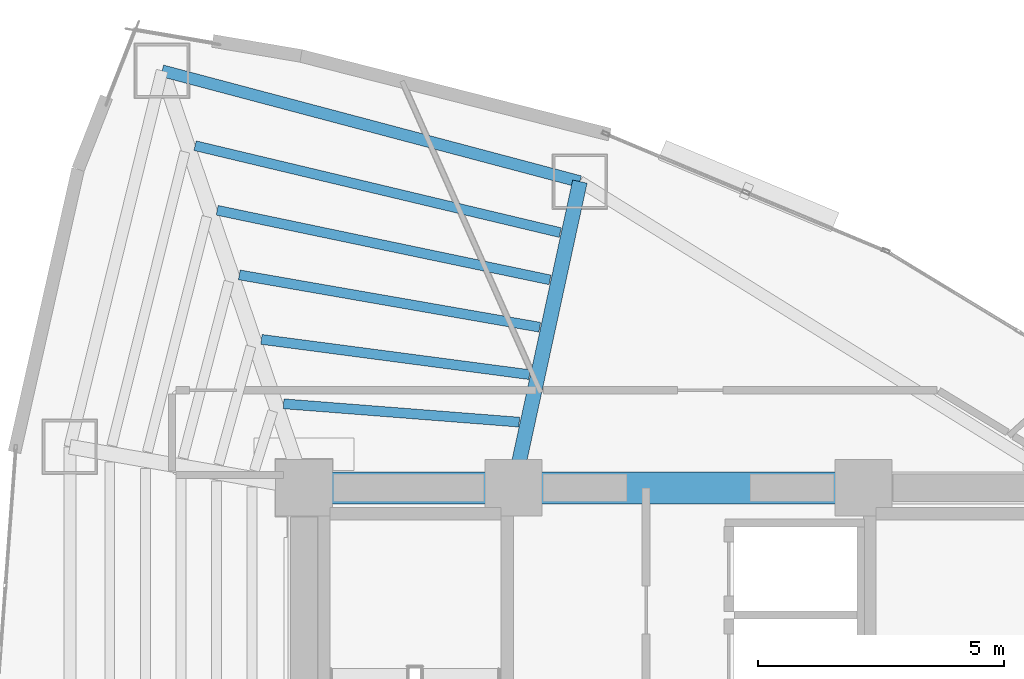
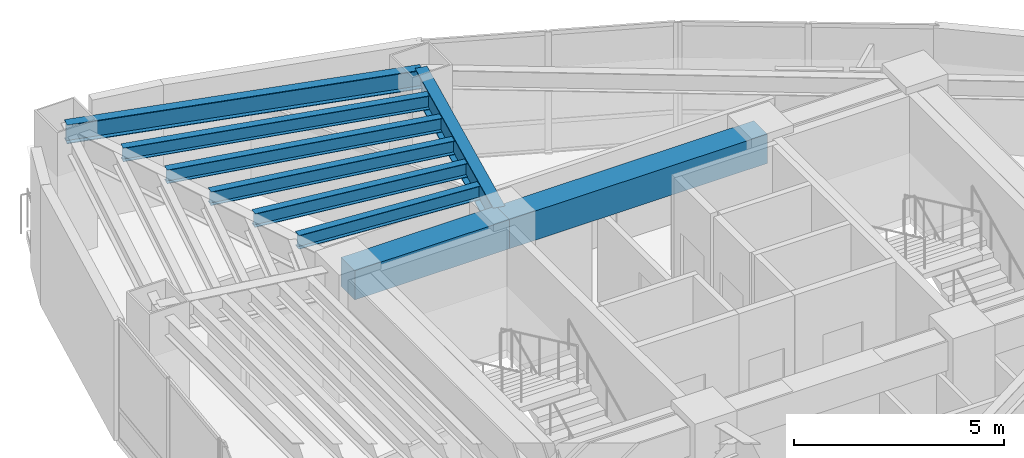
# One storey, part 8 of 15: 9 beams.
"""IFC4 building model written with IfcOpenShell, lengths in metres."""

from ifc_helpers import new_model, si_unit, direction, frame, origin, origin_2d, place, context, subcontext, project, spatial, rectangle, i_section, extrude, material, material_profile, profile_set, type_object, element, save


model = new_model("IFC4")

# Units and contexts
model_context = context("Model", 3, precision=1e-05, world=origin(), true_north=direction((0.0, 1.0)))
body_context = subcontext(model_context, "Body", "Model", "MODEL_VIEW")
ifc_project = project(units=[si_unit("LENGTHUNIT", "METRE"), si_unit("AREAUNIT", "SQUARE_METRE"), si_unit("VOLUMEUNIT", "CUBIC_METRE"), si_unit("PLANEANGLEUNIT", "RADIAN"), si_unit("MASSUNIT", "GRAM", prefix="KILO")], contexts=[model_context])

# Site, building, storey
site_placement = place(None, origin())
site = spatial("IfcSite", under=ifc_project, at=site_placement, CompositionType="ELEMENT")
building_placement = place(site_placement, origin())
building = spatial("IfcBuilding", under=site, at=building_placement, Name="Menara Vayukalpa", CompositionType="ELEMENT")
storey_placement = place(building_placement, frame((0.0, 0.0, 141.179931640625)))
storey = spatial("IfcBuildingStorey", under=building, at=storey_placement, Name="L35", CompositionType="ELEMENT", Elevation=141.179931640625)

# Beams
ifc_material_1 = material(Name="Concrete C60/75", Category="concrete")
ifc_material_profile_1 = material_profile(ifc_material_1, rectangle(XDim=0.64990234375, YDim=0.85009765625, at=origin_2d()), Name="RC 650x850")
ifc_profile_set_1 = profile_set([ifc_material_profile_1], Name="Concrete C60/75")
beam_type_1 = type_object("IfcBeamType", Name="BM-CB1", PredefinedType="BEAM", material=ifc_profile_set_1)
beam_1_placement = place(storey_placement, frame((17.800048828125, 26.800048828125, 3.074951171875), z_axis=(1.0, 0.0, 0.0), x_axis=(0.0, 1.0, 0.0)))
element("IfcBeam", 1, at=beam_1_placement, inside=storey, type_object=beam_type_1, Name="L35 Core Tie Beam CBR4", PredefinedType="BEAM", context=body_context, shape_type="SweptSolid", body=[
    extrude(rectangle(XDim=0.64990234375, YDim=0.85009765625, at=origin_2d()), origin(), (0.0, 0.0, 1.0), 4.25),
])
beam_2_placement = place(storey_placement, frame((22.050048828125, 26.800048828125, 3.074951171875), z_axis=(1.0, 0.0, 0.0), x_axis=(0.0, 1.0, 0.0)))
element("IfcBeam", 2, at=beam_2_placement, inside=storey, type_object=beam_type_1, Name="L35 Core Tie Beam CBR5", PredefinedType="BEAM", context=body_context, shape_type="SweptSolid", body=[
    extrude(rectangle(XDim=0.64990234375, YDim=0.85009765625, at=origin_2d()), origin(), (0.0, 0.0, 1.0), 7.099853515625),
])
ifc_material_2 = material(Name="Steel S355", Category="steel")
ifc_material_profile_2 = material_profile(ifc_material_2, i_section(OverallWidth=0.300048828125, OverallDepth=0.800048828125, WebThickness=0.013916015625, FlangeThickness=0.02587890625, at=origin_2d()), Name="WF 800x300x14x26")
ifc_profile_set_2 = profile_set([ifc_material_profile_2], Name="Steel S355")
beam_type_2 = type_object("IfcBeamType", Name="BM-PG3", PredefinedType="BEAM", material=ifc_profile_set_2)
beam_3_placement = place(storey_placement, frame((22.10302734375, 27.044189453125, 3.10009765625), z_axis=(0.211898459532, 0.9772916877, 0.0), x_axis=(-0.9772916877, 0.211898459532, 0.0)))
element("IfcBeam", 3, at=beam_3_placement, inside=storey, type_object=beam_type_2, Name="L35 Primary Radial Girder RG03", PredefinedType="BEAM", context=body_context, shape_type="SweptSolid", body=[
    extrude(i_section(OverallWidth=0.300048828125, OverallDepth=0.800048828125, WebThickness=0.013916015625, FlangeThickness=0.02587890625, at=origin_2d()), origin(), (0.0, 0.0, 1.0), 6.1064453125),
])
ifc_material_3 = material(Name="Steel S355", Category="steel")
ifc_material_profile_3 = material_profile(ifc_material_3, i_section(OverallWidth=0.199951171875, OverallDepth=0.39990234375, WebThickness=0.008056640625, FlangeThickness=0.012939453125, at=origin_2d()), Name="WF 400x200x8x13")
ifc_profile_set_3 = profile_set([ifc_material_profile_3], Name="Steel S355")
beam_type_3 = type_object("IfcBeamType", Name="BM-SJ2", PredefinedType="JOIST", material=ifc_profile_set_3)
beam_4_placement = place(storey_placement, frame((22.16650390625, 28.131591796875, 3.300048828125), z_axis=(-0.99698187454, 0.07763466905, 0.0), x_axis=(-0.07763466905, -0.99698187454, 0.0)))
element("IfcBeam", 4, at=beam_4_placement, inside=storey, type_object=beam_type_3, Name="L35 Secondary Floor Joist SJ03-1", PredefinedType="JOIST", context=body_context, shape_type="SweptSolid", body=[
    extrude(i_section(OverallWidth=0.199951171875, OverallDepth=0.39990234375, WebThickness=0.008056640625, FlangeThickness=0.012939453125, at=origin_2d()), origin(), (0.0, 0.0, 1.0), 4.795654296875),
])
beam_5_placement = place(storey_placement, frame((22.37451171875, 29.095458984375, 3.300048828125), z_axis=(-0.991465351363, 0.130370460792, 0.0), x_axis=(-0.130370460792, -0.991465351363, 0.0)))
element("IfcBeam", 5, at=beam_5_placement, inside=storey, type_object=beam_type_3, Name="L35 Secondary Floor Joist SJ03-2", PredefinedType="JOIST", context=body_context, shape_type="SweptSolid", body=[
    extrude(i_section(OverallWidth=0.199951171875, OverallDepth=0.39990234375, WebThickness=0.008056640625, FlangeThickness=0.012939453125, at=origin_2d()), origin(), (0.0, 0.0, 1.0), 5.485107421875),
])
beam_6_placement = place(storey_placement, frame((22.58251953125, 30.057373046875, 3.300048828125), z_axis=(-0.98515667511, 0.171657582084, 0.0), x_axis=(-0.171657582084, -0.98515667511, 0.0)))
element("IfcBeam", 6, at=beam_6_placement, inside=storey, type_object=beam_type_3, Name="L35 Secondary Floor Joist SJ03-3", PredefinedType="JOIST", context=body_context, shape_type="SweptSolid", body=[
    extrude(i_section(OverallWidth=0.199951171875, OverallDepth=0.39990234375, WebThickness=0.008056640625, FlangeThickness=0.012939453125, at=origin_2d()), origin(), (0.0, 0.0, 1.0), 6.186767578125),
])
beam_7_placement = place(storey_placement, frame((22.79052734375, 31.017822265625, 3.300048828125), z_axis=(-0.978829393328, 0.204677841395, 0.0), x_axis=(-0.204677841395, -0.978829393328, 0.0)))
element("IfcBeam", 7, at=beam_7_placement, inside=storey, type_object=beam_type_3, Name="L35 Secondary Floor Joist SJ03-4", PredefinedType="JOIST", context=body_context, shape_type="SweptSolid", body=[
    extrude(i_section(OverallWidth=0.199951171875, OverallDepth=0.39990234375, WebThickness=0.008056640625, FlangeThickness=0.012939453125, at=origin_2d()), origin(), (0.0, 0.0, 1.0), 6.89794921875),
])
beam_8_placement = place(storey_placement, frame((22.99853515625, 31.977294921875, 3.300048828125), z_axis=(-0.972824097487, 0.231545406668, 0.0), x_axis=(-0.231545406668, -0.972824097487, 0.0)))
element("IfcBeam", 8, at=beam_8_placement, inside=storey, type_object=beam_type_3, Name="L35 Secondary Floor Joist SJ03-5", PredefinedType="JOIST", context=body_context, shape_type="SweptSolid", body=[
    extrude(i_section(OverallWidth=0.199951171875, OverallDepth=0.39990234375, WebThickness=0.008056640625, FlangeThickness=0.012939453125, at=origin_2d()), origin(), (0.0, 0.0, 1.0), 7.615966796875),
])
ifc_material_4 = material(Name="Steel S355", Category="steel")
ifc_material_profile_4 = material_profile(ifc_material_4, i_section(OverallWidth=0.239990234375, OverallDepth=0.550048828125, WebThickness=0.010986328125, FlangeThickness=0.01904296875, at=origin_2d()), Name="WF 550x240x11x19")
ifc_profile_set_4 = profile_set([ifc_material_profile_4], Name="Steel S355")
beam_type_4 = type_object("IfcBeamType", Name="BM-SP2", PredefinedType="SPANDREL", material=ifc_profile_set_4)
beam_9_placement = place(storey_placement, frame((23.39697265625, 33.011962890625, 3.22509765625), z_axis=(-0.96657141455, 0.256397544009, 0.0), x_axis=(-0.256397544009, -0.96657141455, 0.0)))
element("IfcBeam", 9, at=beam_9_placement, inside=storey, type_object=beam_type_4, Name="L35 Perimeter Spandrel Beam SP03", PredefinedType="SPANDREL", context=body_context, shape_type="SweptSolid", body=[
    extrude(i_section(OverallWidth=0.239990234375, OverallDepth=0.550048828125, WebThickness=0.010986328125, FlangeThickness=0.01904296875, at=origin_2d()), origin(), (0.0, 0.0, 1.0), 8.769775390625),
])

save(model, "model.ifc")
